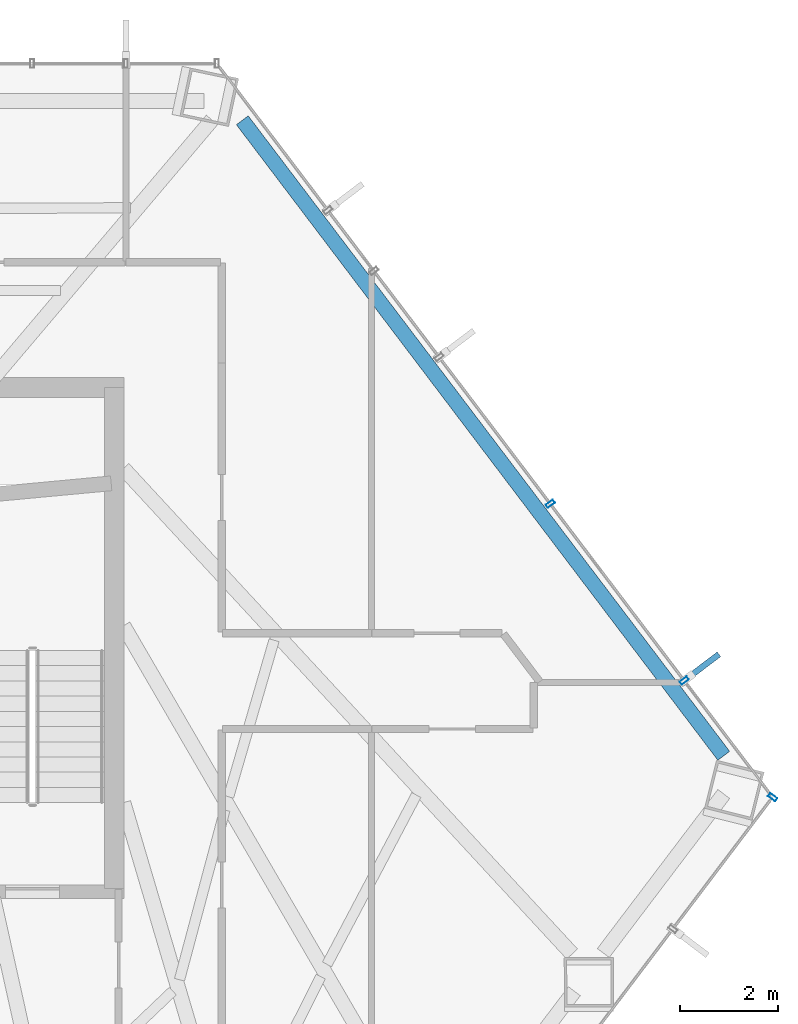
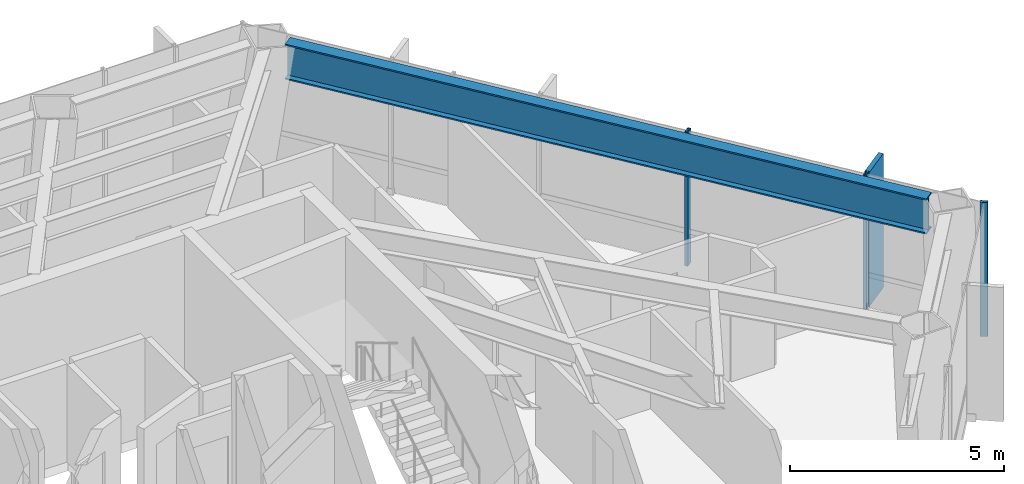
# One storey, part 21 of 27: 4 members, 1 beam, 2 elements without a shape of their own.
"""IFC4 building model written with IfcOpenShell, lengths in metres."""

from ifc_helpers import new_model, si_unit, direction, frame, origin, origin_2d, place, context, subcontext, project, spatial, rectangle, hollow_rectangle, i_section, extrude, material, layer, layer_set, material_profile, profile_set, type_object, element, aggregate, save


model = new_model("IFC4")

# Units and contexts
model_context = context("Model", 3, precision=1e-05, world=origin(), true_north=direction((0.0, 1.0)))
body_context = subcontext(model_context, "Body", "Model", "MODEL_VIEW")
ifc_project = project(units=[si_unit("LENGTHUNIT", "METRE"), si_unit("AREAUNIT", "SQUARE_METRE"), si_unit("VOLUMEUNIT", "CUBIC_METRE"), si_unit("PLANEANGLEUNIT", "RADIAN"), si_unit("MASSUNIT", "GRAM", prefix="KILO")], contexts=[model_context])

# Site, building, storey
site_placement = place(None, origin())
site = spatial("IfcSite", under=ifc_project, at=site_placement, CompositionType="ELEMENT")
building_placement = place(site_placement, origin())
building = spatial("IfcBuilding", under=site, at=building_placement, Name="Zarrinselat Tower", CompositionType="ELEMENT")
storey_placement = place(building_placement, frame((0.0, 0.0, 47.93994140625)))
storey = spatial("IfcBuildingStorey", under=building, at=storey_placement, Name="L11", CompositionType="ELEMENT", Elevation=47.93994140625)

# Beam
ifc_material_1 = material(Name="Steel S460M", Category="steel")
ifc_material_profile_1 = material_profile(ifc_material_1, i_section(OverallWidth=0.302001953125, OverallDepth=1.008056640625, WebThickness=0.02099609375, FlangeThickness=0.0400390625, at=origin_2d()), Name="HEM 1000")
ifc_profile_set_1 = profile_set([ifc_material_profile_1], Name="Steel S460M")
beam_type = type_object("IfcBeamType", Name="BM-HEM1000", PredefinedType="BEAM", material=ifc_profile_set_1)
beam_placement = place(storey_placement, frame((50.868896484375, 48.888916015625, 3.316162109375), z_axis=(0.603849576907, -0.797098292853, 0.0), x_axis=(0.797098292853, 0.603849576907, 0.0)))
element("IfcBeam", 1, at=beam_placement, inside=storey, type_object=beam_type, Name="L11 Perimeter Spandrel Girder SP15", PredefinedType="BEAM", context=body_context, shape_type="SweptSolid", body=[
    extrude(i_section(OverallWidth=0.302001953125, OverallDepth=1.008056640625, WebThickness=0.02099609375, FlangeThickness=0.0400390625, at=origin_2d()), origin(), (0.0, 0.0, 1.0), 16.2265625),
])

# Curtain wall, member
ifc_material_2 = material(Name="Extruded Aluminium Alloy EN AW-6063 T6", Category="aluminium")
ifc_layer = layer(ifc_material_2, 0.18505859375)
ifc_layer_set = layer_set([ifc_layer], Name="Extruded Aluminium Alloy EN AW-6063 T6")
curtain_wall_type = type_object("IfcCurtainWallType", Name="CWS-OFF", PredefinedType="NOTDEFINED", material=ifc_layer_set)
curtain_wall_1_placement = place(storey_placement, origin())
curtain_wall_1 = element("IfcCurtainWall", 2, at=curtain_wall_1_placement, inside=storey, type_object=curtain_wall_type, Name="L11 Unitised Curtain Wall CW-L11-E05", PredefinedType="NOTDEFINED")
ifc_material_3 = material(Name="Extruded Aluminium Alloy EN AW-6063 T6", Category="aluminium")
ifc_material_profile_2 = material_profile(ifc_material_3, hollow_rectangle(XDim=0.080078125, YDim=0.179931640625, WallThickness=0.0048828125, at=origin_2d()), Name="RHS 180x80x5")
ifc_profile_set_2 = profile_set([ifc_material_profile_2], Name="Extruded Aluminium Alloy EN AW-6063 T6")
member_type_1 = type_object("IfcMemberType", Name="MEM-CW-MUL", PredefinedType="MULLION", material=ifc_profile_set_2)
member_1_placement = place(storey_placement, frame((61.66259765625, 35.111083984375, 0.0), z_axis=(0.0, 0.0, 1.0), x_axis=(0.603859118859, 0.797091064164, 0.0)))
member_1 = element("IfcMember", 3, at=member_1_placement, type_object=member_type_1, Name="CW-L11-E05 Mullion 6", PredefinedType="MULLION", context=body_context, shape_type="SweptSolid", body=[
    extrude(hollow_rectangle(XDim=0.080078125, YDim=0.179931640625, WallThickness=0.0048828125, at=origin_2d()), origin(), (0.0, 0.0, 1.0), 3.820068359375),
])
aggregate(curtain_wall_1, [member_1])

# Curtain wall, members
curtain_wall_2_placement = place(storey_placement, origin())
curtain_wall_2 = element("IfcCurtainWall", 4, at=curtain_wall_2_placement, inside=storey, type_object=curtain_wall_type, Name="L11 Unitised Curtain Wall CW-L11-E06", PredefinedType="NOTDEFINED")
member_2_placement = place(storey_placement, frame((59.86328125, 37.486083984375, 0.0), z_axis=(0.0, 0.0, 1.0), x_axis=(-0.603858304597, 0.797091681031, 0.0)))
member_2 = element("IfcMember", 5, at=member_2_placement, type_object=member_type_1, Name="CW-L11-E06 Mullion 1", PredefinedType="MULLION", context=body_context, shape_type="SweptSolid", body=[
    extrude(hollow_rectangle(XDim=0.080078125, YDim=0.179931640625, WallThickness=0.0048828125, at=origin_2d()), origin(), (0.0, 0.0, 1.0), 3.820068359375),
])
member_3_placement = place(storey_placement, frame((57.13720703125, 41.08447265625, 0.0), z_axis=(0.0, 0.0, 1.0), x_axis=(-0.603858304597, 0.797091681031, 0.0)))
member_3 = element("IfcMember", 6, at=member_3_placement, type_object=member_type_1, Name="CW-L11-E06 Mullion 2", PredefinedType="MULLION", context=body_context, shape_type="SweptSolid", body=[
    extrude(hollow_rectangle(XDim=0.080078125, YDim=0.179931640625, WallThickness=0.0048828125, at=origin_2d()), origin(), (0.0, 0.0, 1.0), 3.820068359375),
])
ifc_material_4 = material(Name="Honed Cream Travertine Stone", Category="masonry")
ifc_material_profile_3 = material_profile(ifc_material_4, rectangle(XDim=0.1201171875, YDim=0.85009765625, at=origin_2d()), Name="FIN 850x120")
ifc_profile_set_3 = profile_set([ifc_material_profile_3], Name="Honed Cream Travertine Stone")
member_type_2 = type_object("IfcMemberType", Name="MEM-STONE-FIN", PredefinedType="USERDEFINED", material=ifc_profile_set_3)
member_4_placement = place(storey_placement, frame((60.22998046875, 37.763916015625, 0.0), z_axis=(0.0, 0.0, 1.0), x_axis=(0.603858304597, -0.797091681031, 0.0)))
member_4 = element("IfcMember", 7, at=member_4_placement, type_object=member_type_2, Name="L11 Stone Shading Fin CW-L11-E06-01", ObjectType="FIN", PredefinedType="USERDEFINED", context=body_context, shape_type="SweptSolid", body=[
    extrude(rectangle(XDim=0.1201171875, YDim=0.85009765625, at=origin_2d()), origin(), (0.0, 0.0, 1.0), 3.820068359375),
])
aggregate(curtain_wall_2, [member_2, member_4, member_3])

save(model, "model.ifc")
